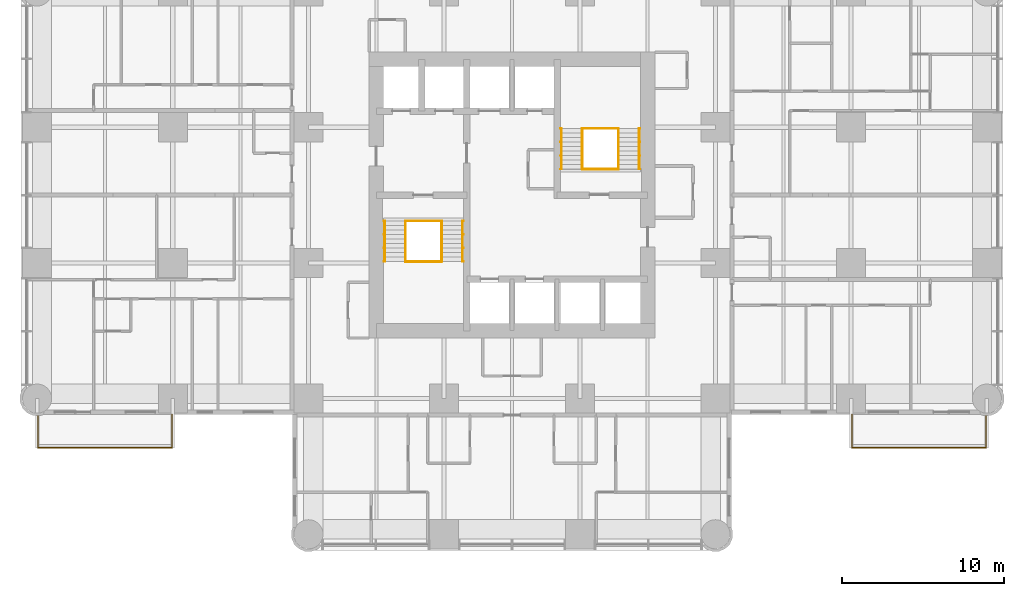
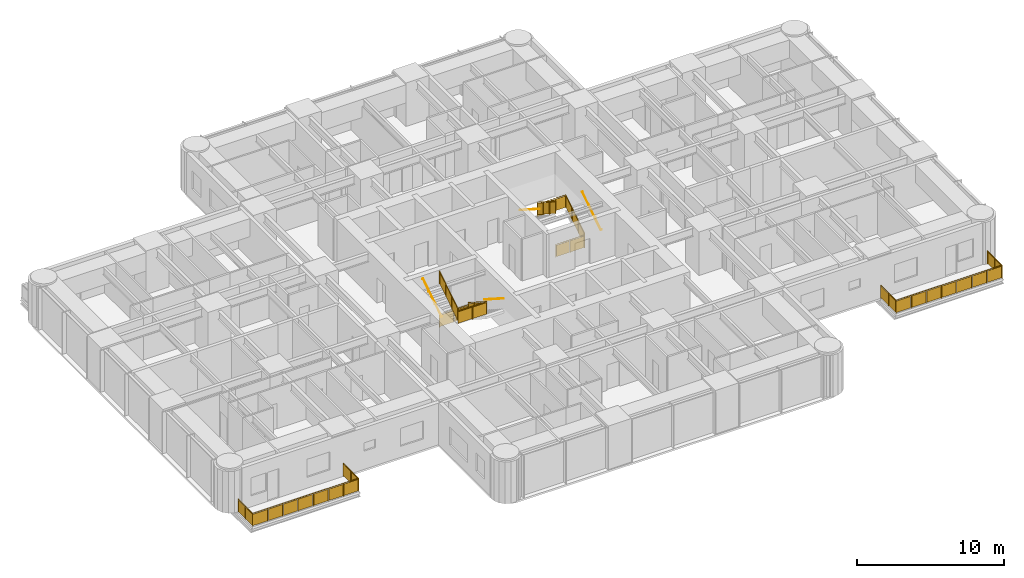
# One storey, part 13 of 14: 14 railings.
"""IFC4 building model written with IfcOpenShell, lengths in metres."""

from ifc_helpers import new_model, si_unit, direction, frame, origin, origin_2d, place, context, subcontext, project, spatial, polyline, circle, outline, extrude, material, constituent, constituent_set, type_object, element, save


model = new_model("IFC4")

# Units and contexts
model_context = context("Model", 3, precision=1e-05, world=origin(), true_north=direction((0.0, 1.0)))
body_context = subcontext(model_context, "Body", "Model", "MODEL_VIEW")
ifc_project = project(units=[si_unit("LENGTHUNIT", "METRE"), si_unit("AREAUNIT", "SQUARE_METRE"), si_unit("VOLUMEUNIT", "CUBIC_METRE"), si_unit("PLANEANGLEUNIT", "RADIAN"), si_unit("MASSUNIT", "GRAM", prefix="KILO")], contexts=[model_context])

# Site, building, storey
site_placement = place(None, origin())
site = spatial("IfcSite", under=ifc_project, at=site_placement, CompositionType="ELEMENT")
building_placement = place(site_placement, origin())
building = spatial("IfcBuilding", under=site, at=building_placement, Name="Torre Alcanfor", CompositionType="ELEMENT")
storey_placement = place(building_placement, frame((0.0, 0.0, 170.10009765625)))
storey = spatial("IfcBuildingStorey", under=building, at=storey_placement, Name="L44", CompositionType="ELEMENT", Elevation=170.10009765625)

# Railings
ifc_material_1 = material(Name="Laminated safety glass", Category="glass")
ifc_constituent_1 = constituent(ifc_material_1, Name="Infill")
ifc_material_2 = material(Name="Stainless steel ASTM A554 Grade MT 316L tube", Category="steel")
ifc_constituent_2 = constituent(ifc_material_2, Name="Posts and rail")
ifc_constituent_set = constituent_set(constituents=[ifc_constituent_1, ifc_constituent_2], Name="Balcony guard glass 1100")
railing_type_1 = type_object("IfcRailingType", Name="Balcony guard glass 1100", PredefinedType="BALUSTRADE", material=ifc_constituent_set)
railing_1_placement = place(storey_placement, frame((50.449951171875, 15.800048828125, 0.0)))
element("IfcRailing", 1, at=railing_1_placement, inside=storey, type_object=railing_type_1, Name="Balcony guard L44-E2", PredefinedType="BALUSTRADE", context=body_context, shape_type="SweptSolid", body=[
    extrude(circle(Radius=0.02392578125, at=origin_2d()), frame((0.0, 0.0, 1.076171875), z_axis=(0.0, -1.0, 0.0), x_axis=(1.0, 0.0, 0.0)), (0.0, 0.0, 1.0), 2.050048828125),
    extrude(circle(Radius=0.02392578125, at=origin_2d()), frame((0.0, -2.050048828125, 1.076171875), z_axis=(1.0, 0.0, 0.0), x_axis=(0.0, 1.0, 0.0)), (0.0, 0.0, 1.0), 8.300048828125),
    extrude(circle(Radius=0.02392578125, at=origin_2d()), frame((8.300048828125, -2.050048828125, 1.076171875), z_axis=(0.0, 1.0, 0.0), x_axis=(-1.0, 0.0, 0.0)), (0.0, 0.0, 1.0), 1.968994140625),
    extrude(circle(Radius=0.02099609375, at=origin_2d()), origin(), (0.0, 0.0, 1.0), 1.052001953125),
    extrude(circle(Radius=0.02099609375, at=origin_2d()), frame((0.0, -1.02490234375, 0.0)), (0.0, 0.0, 1.0), 1.052001953125),
    extrude(circle(Radius=0.02099609375, at=origin_2d()), frame((0.0, -2.050048828125, 0.0)), (0.0, 0.0, 1.0), 1.052001953125),
    extrude(circle(Radius=0.02099609375, at=origin_2d()), frame((1.185791015625, -2.050048828125, 0.0)), (0.0, 0.0, 1.0), 1.052001953125),
    extrude(circle(Radius=0.02099609375, at=origin_2d()), frame((2.371337890625, -2.050048828125, 0.0)), (0.0, 0.0, 1.0), 1.052001953125),
    extrude(circle(Radius=0.02099609375, at=origin_2d()), frame((3.55712890625, -2.050048828125, 0.0)), (0.0, 0.0, 1.0), 1.052001953125),
    extrude(circle(Radius=0.02099609375, at=origin_2d()), frame((4.742919921875, -2.050048828125, 0.0)), (0.0, 0.0, 1.0), 1.052001953125),
    extrude(circle(Radius=0.02099609375, at=origin_2d()), frame((5.9287109375, -2.050048828125, 0.0)), (0.0, 0.0, 1.0), 1.052001953125),
    extrude(circle(Radius=0.02099609375, at=origin_2d()), frame((7.1142578125, -2.050048828125, 0.0)), (0.0, 0.0, 1.0), 1.052001953125),
    extrude(circle(Radius=0.02099609375, at=origin_2d()), frame((8.300048828125, -2.050048828125, 0.0)), (0.0, 0.0, 1.0), 1.052001953125),
    extrude(circle(Radius=0.02099609375, at=origin_2d()), frame((8.300048828125, -1.0654296875, 0.0)), (0.0, 0.0, 1.0), 1.052001953125),
    extrude(circle(Radius=0.02099609375, at=origin_2d()), frame((8.300048828125, -0.0810546875, 0.0)), (0.0, 0.0, 1.0), 1.052001953125),
    extrude(outline(polyline([(0.041015625, 0.050048828125), (0.984130859375, 0.050048828125), (0.984130859375, 1.001953125), (0.041015625, 1.001953125), (0.041015625, 0.050048828125)])), frame((0.005859375, 0.0, 0.0), z_axis=(-1.0, 0.0, 0.0), x_axis=(0.0, -1.0, 0.0)), (0.0, 0.0, 1.0), 0.011962890625),
    extrude(outline(polyline([(1.06591796875, 0.050048828125), (2.009033203125, 0.050048828125), (2.009033203125, 1.001953125), (1.06591796875, 1.001953125), (1.06591796875, 0.050048828125)])), frame((0.005859375, 0.0, 0.0), z_axis=(-1.0, 0.0, 0.0), x_axis=(0.0, -1.0, 0.0)), (0.0, 0.0, 1.0), 0.011962890625),
    extrude(outline(polyline([(0.041015625, 0.050048828125), (1.144775390625, 0.050048828125), (1.144775390625, 1.001953125), (0.041015625, 1.001953125), (0.041015625, 0.050048828125)])), frame((0.0, -2.0439453125, 0.0), z_axis=(0.0, -1.0, 0.0), x_axis=(1.0, 0.0, 0.0)), (0.0, 0.0, 1.0), 0.011962890625),
    extrude(outline(polyline([(1.226806640625, 0.050048828125), (2.330322265625, 0.050048828125), (2.330322265625, 1.001953125), (1.226806640625, 1.001953125), (1.226806640625, 0.050048828125)])), frame((0.0, -2.0439453125, 0.0), z_axis=(0.0, -1.0, 0.0), x_axis=(1.0, 0.0, 0.0)), (0.0, 0.0, 1.0), 0.011962890625),
    extrude(outline(polyline([(2.412353515625, 0.050048828125), (3.51611328125, 0.050048828125), (3.51611328125, 1.001953125), (2.412353515625, 1.001953125), (2.412353515625, 0.050048828125)])), frame((0.0, -2.0439453125, 0.0), z_axis=(0.0, -1.0, 0.0), x_axis=(1.0, 0.0, 0.0)), (0.0, 0.0, 1.0), 0.011962890625),
    extrude(outline(polyline([(3.59814453125, 0.050048828125), (4.701904296875, 0.050048828125), (4.701904296875, 1.001953125), (3.59814453125, 1.001953125), (3.59814453125, 0.050048828125)])), frame((0.0, -2.0439453125, 0.0), z_axis=(0.0, -1.0, 0.0), x_axis=(1.0, 0.0, 0.0)), (0.0, 0.0, 1.0), 0.011962890625),
    extrude(outline(polyline([(4.783935546875, 0.050048828125), (5.8876953125, 0.050048828125), (5.8876953125, 1.001953125), (4.783935546875, 1.001953125), (4.783935546875, 0.050048828125)])), frame((0.0, -2.0439453125, 0.0), z_axis=(0.0, -1.0, 0.0), x_axis=(1.0, 0.0, 0.0)), (0.0, 0.0, 1.0), 0.011962890625),
    extrude(outline(polyline([(5.9697265625, 0.050048828125), (7.0732421875, 0.050048828125), (7.0732421875, 1.001953125), (5.9697265625, 1.001953125), (5.9697265625, 0.050048828125)])), frame((0.0, -2.0439453125, 0.0), z_axis=(0.0, -1.0, 0.0), x_axis=(1.0, 0.0, 0.0)), (0.0, 0.0, 1.0), 0.011962890625),
    extrude(outline(polyline([(7.1552734375, 0.050048828125), (8.259033203125, 0.050048828125), (8.259033203125, 1.001953125), (7.1552734375, 1.001953125), (7.1552734375, 0.050048828125)])), frame((0.0, -2.0439453125, 0.0), z_axis=(0.0, -1.0, 0.0), x_axis=(1.0, 0.0, 0.0)), (0.0, 0.0, 1.0), 0.011962890625),
    extrude(outline(polyline([(0.041015625, 0.050048828125), (0.943603515625, 0.050048828125), (0.943603515625, 1.001953125), (0.041015625, 1.001953125), (0.041015625, 0.050048828125)])), frame((8.2939453125, -2.050048828125, 0.0), z_axis=(1.0, 0.0, 0.0), x_axis=(0.0, 1.0, 0.0)), (0.0, 0.0, 1.0), 0.011962890625),
    extrude(outline(polyline([(1.025390625, 0.050048828125), (1.927978515625, 0.050048828125), (1.927978515625, 1.001953125), (1.025390625, 1.001953125), (1.025390625, 0.050048828125)])), frame((8.2939453125, -2.050048828125, 0.0), z_axis=(1.0, 0.0, 0.0), x_axis=(0.0, 1.0, 0.0)), (0.0, 0.0, 1.0), 0.011962890625),
])
railing_2_placement = place(storey_placement, frame((8.35009765625, 15.800048828125, 0.0)))
element("IfcRailing", 2, at=railing_2_placement, inside=storey, type_object=railing_type_1, Name="Balcony guard L44-W1", PredefinedType="BALUSTRADE", context=body_context, shape_type="SweptSolid", body=[
    extrude(circle(Radius=0.02392578125, at=origin_2d()), frame((0.0, 0.0, 1.076171875), z_axis=(0.0, -1.0, 0.0), x_axis=(1.0, 0.0, 0.0)), (0.0, 0.0, 1.0), 2.050048828125),
    extrude(circle(Radius=0.02392578125, at=origin_2d()), frame((0.0, -2.050048828125, 1.076171875), z_axis=(-1.0, 0.0, 0.0), x_axis=(0.0, -1.0, 0.0)), (0.0, 0.0, 1.0), 8.300048828125),
    extrude(circle(Radius=0.02392578125, at=origin_2d()), frame((-8.300048828125, -2.050048828125, 1.076171875), z_axis=(0.0, 1.0, 0.0), x_axis=(-1.0, 0.0, 0.0)), (0.0, 0.0, 1.0), 1.968994140625),
    extrude(circle(Radius=0.02099609375, at=origin_2d()), origin(), (0.0, 0.0, 1.0), 1.052001953125),
    extrude(circle(Radius=0.02099609375, at=origin_2d()), frame((0.0, -1.02490234375, 0.0)), (0.0, 0.0, 1.0), 1.052001953125),
    extrude(circle(Radius=0.02099609375, at=origin_2d()), frame((0.0, -2.050048828125, 0.0)), (0.0, 0.0, 1.0), 1.052001953125),
    extrude(circle(Radius=0.02099609375, at=origin_2d()), frame((-1.185791015625, -2.050048828125, 0.0)), (0.0, 0.0, 1.0), 1.052001953125),
    extrude(circle(Radius=0.02099609375, at=origin_2d()), frame((-2.371337890625, -2.050048828125, 0.0)), (0.0, 0.0, 1.0), 1.052001953125),
    extrude(circle(Radius=0.02099609375, at=origin_2d()), frame((-3.55712890625, -2.050048828125, 0.0)), (0.0, 0.0, 1.0), 1.052001953125),
    extrude(circle(Radius=0.02099609375, at=origin_2d()), frame((-4.742919921875, -2.050048828125, 0.0)), (0.0, 0.0, 1.0), 1.052001953125),
    extrude(circle(Radius=0.02099609375, at=origin_2d()), frame((-5.9287109375, -2.050048828125, 0.0)), (0.0, 0.0, 1.0), 1.052001953125),
    extrude(circle(Radius=0.02099609375, at=origin_2d()), frame((-7.1142578125, -2.050048828125, 0.0)), (0.0, 0.0, 1.0), 1.052001953125),
    extrude(circle(Radius=0.02099609375, at=origin_2d()), frame((-8.300048828125, -2.050048828125, 0.0)), (0.0, 0.0, 1.0), 1.052001953125),
    extrude(circle(Radius=0.02099609375, at=origin_2d()), frame((-8.300048828125, -1.0654296875, 0.0)), (0.0, 0.0, 1.0), 1.052001953125),
    extrude(circle(Radius=0.02099609375, at=origin_2d()), frame((-8.300048828125, -0.0810546875, 0.0)), (0.0, 0.0, 1.0), 1.052001953125),
    extrude(outline(polyline([(0.041015625, 0.050048828125), (0.984130859375, 0.050048828125), (0.984130859375, 1.001953125), (0.041015625, 1.001953125), (0.041015625, 0.050048828125)])), frame((0.005859375, 0.0, 0.0), z_axis=(-1.0, 0.0, 0.0), x_axis=(0.0, -1.0, 0.0)), (0.0, 0.0, 1.0), 0.011962890625),
    extrude(outline(polyline([(1.06591796875, 0.050048828125), (2.009033203125, 0.050048828125), (2.009033203125, 1.001953125), (1.06591796875, 1.001953125), (1.06591796875, 0.050048828125)])), frame((0.005859375, 0.0, 0.0), z_axis=(-1.0, 0.0, 0.0), x_axis=(0.0, -1.0, 0.0)), (0.0, 0.0, 1.0), 0.011962890625),
    extrude(outline(polyline([(0.041015625, 0.050048828125), (1.144775390625, 0.050048828125), (1.144775390625, 1.001953125), (0.041015625, 1.001953125), (0.041015625, 0.050048828125)])), frame((0.0, -2.05615234375, 0.0), z_axis=(0.0, 1.0, 0.0), x_axis=(-1.0, 0.0, 0.0)), (0.0, 0.0, 1.0), 0.011962890625),
    extrude(outline(polyline([(1.226806640625, 0.050048828125), (2.330322265625, 0.050048828125), (2.330322265625, 1.001953125), (1.226806640625, 1.001953125), (1.226806640625, 0.050048828125)])), frame((0.0, -2.05615234375, 0.0), z_axis=(0.0, 1.0, 0.0), x_axis=(-1.0, 0.0, 0.0)), (0.0, 0.0, 1.0), 0.011962890625),
    extrude(outline(polyline([(2.412353515625, 0.050048828125), (3.51611328125, 0.050048828125), (3.51611328125, 1.001953125), (2.412353515625, 1.001953125), (2.412353515625, 0.050048828125)])), frame((0.0, -2.05615234375, 0.0), z_axis=(0.0, 1.0, 0.0), x_axis=(-1.0, 0.0, 0.0)), (0.0, 0.0, 1.0), 0.011962890625),
    extrude(outline(polyline([(3.59814453125, 0.050048828125), (4.701904296875, 0.050048828125), (4.701904296875, 1.001953125), (3.59814453125, 1.001953125), (3.59814453125, 0.050048828125)])), frame((0.0, -2.05615234375, 0.0), z_axis=(0.0, 1.0, 0.0), x_axis=(-1.0, 0.0, 0.0)), (0.0, 0.0, 1.0), 0.011962890625),
    extrude(outline(polyline([(4.783935546875, 0.050048828125), (5.8876953125, 0.050048828125), (5.8876953125, 1.001953125), (4.783935546875, 1.001953125), (4.783935546875, 0.050048828125)])), frame((0.0, -2.05615234375, 0.0), z_axis=(0.0, 1.0, 0.0), x_axis=(-1.0, 0.0, 0.0)), (0.0, 0.0, 1.0), 0.011962890625),
    extrude(outline(polyline([(5.9697265625, 0.050048828125), (7.0732421875, 0.050048828125), (7.0732421875, 1.001953125), (5.9697265625, 1.001953125), (5.9697265625, 0.050048828125)])), frame((0.0, -2.05615234375, 0.0), z_axis=(0.0, 1.0, 0.0), x_axis=(-1.0, 0.0, 0.0)), (0.0, 0.0, 1.0), 0.011962890625),
    extrude(outline(polyline([(7.1552734375, 0.050048828125), (8.259033203125, 0.050048828125), (8.259033203125, 1.001953125), (7.1552734375, 1.001953125), (7.1552734375, 0.050048828125)])), frame((0.0, -2.05615234375, 0.0), z_axis=(0.0, 1.0, 0.0), x_axis=(-1.0, 0.0, 0.0)), (0.0, 0.0, 1.0), 0.011962890625),
    extrude(outline(polyline([(0.041015625, 0.050048828125), (0.943603515625, 0.050048828125), (0.943603515625, 1.001953125), (0.041015625, 1.001953125), (0.041015625, 0.050048828125)])), frame((-8.30615234375, -2.050048828125, 0.0), z_axis=(1.0, 0.0, 0.0), x_axis=(0.0, 1.0, 0.0)), (0.0, 0.0, 1.0), 0.011962890625),
    extrude(outline(polyline([(1.025390625, 0.050048828125), (1.927978515625, 0.050048828125), (1.927978515625, 1.001953125), (1.025390625, 1.001953125), (1.025390625, 0.050048828125)])), frame((-8.30615234375, -2.050048828125, 0.0), z_axis=(1.0, 0.0, 0.0), x_axis=(0.0, 1.0, 0.0)), (0.0, 0.0, 1.0), 0.011962890625),
])
ifc_material_3 = material(Name="Steel ASTM A500 Grade C hollow sections", Category="steel")
railing_type_2 = type_object("IfcRailingType", Name="Stair guard and handrail 1100", PredefinedType="GUARDRAIL", material=ifc_material_3)
railing_3_placement = place(storey_placement, frame((25.050048828125, 27.800048828125, 0.179931640625)))
element("IfcRailing", 3, at=railing_3_placement, inside=storey, type_object=railing_type_2, Name="Stair guard S1 L44 flight 1", PredefinedType="GUARDRAIL", context=body_context, shape_type="SweptSolid", body=[
    extrude(circle(Radius=0.02392578125, at=origin_2d()), frame((0.0, 0.0, 1.076171875), z_axis=(0.0, -0.841199657755, 0.540724639528), x_axis=(1.0, 0.0, 0.0)), (0.0, 0.0, 1.0), 2.995849609375),
    extrude(circle(Radius=0.02099609375, at=origin_2d()), origin(), (0.0, 0.0, 1.0), 1.052001953125),
    extrude(circle(Radius=0.02099609375, at=origin_2d()), frame((0.0, -0.840087890625, 0.5400390625)), (0.0, 0.0, 1.0), 1.052001953125),
    extrude(circle(Radius=0.02099609375, at=origin_2d()), frame((0.0, -1.679931640625, 1.079833984375)), (0.0, 0.0, 1.0), 1.052001953125),
    extrude(circle(Radius=0.02099609375, at=origin_2d()), frame((0.0, -2.52001953125, 1.619873046875)), (0.0, 0.0, 1.0), 1.052001953125),
    extrude(outline(polyline([(0.041015625, 0.076416015625), (0.799072265625, 0.563720703125), (0.799072265625, 1.515625), (0.041015625, 1.0283203125), (0.041015625, 0.076416015625)])), frame((0.005859375, 0.0, 0.0), z_axis=(-1.0, 0.0, 0.0), x_axis=(0.0, -1.0, 0.0)), (0.0, 0.0, 1.0), 0.011962890625),
    extrude(outline(polyline([(0.881103515625, 0.6162109375), (1.638916015625, 1.103515625), (1.638916015625, 2.0556640625), (0.881103515625, 1.568359375), (0.881103515625, 0.6162109375)])), frame((0.005859375, 0.0, 0.0), z_axis=(-1.0, 0.0, 0.0), x_axis=(0.0, -1.0, 0.0)), (0.0, 0.0, 1.0), 0.011962890625),
    extrude(outline(polyline([(1.720947265625, 1.15625), (2.47900390625, 1.6435546875), (2.47900390625, 2.595458984375), (1.720947265625, 2.108154296875), (1.720947265625, 1.15625)])), frame((0.005859375, 0.0, 0.0), z_axis=(-1.0, 0.0, 0.0), x_axis=(0.0, -1.0, 0.0)), (0.0, 0.0, 1.0), 0.011962890625),
])
railing_4_placement = place(storey_placement, frame((22.800048828125, 25.280029296875, 1.97998046875)))
element("IfcRailing", 4, at=railing_4_placement, inside=storey, type_object=railing_type_2, Name="Stair guard S1 L44 flight 2", PredefinedType="GUARDRAIL", context=body_context, shape_type="SweptSolid", body=[
    extrude(circle(Radius=0.02392578125, at=origin_2d()), frame((0.0, 0.0, 1.076171875), z_axis=(0.0, 0.841199657755, 0.540724639528), x_axis=(-1.0, 0.0, 0.0)), (0.0, 0.0, 1.0), 2.995849609375),
    extrude(circle(Radius=0.02099609375, at=origin_2d()), origin(), (0.0, 0.0, 1.0), 1.052001953125),
    extrude(circle(Radius=0.02099609375, at=origin_2d()), frame((0.0, 0.840087890625, 0.5400390625)), (0.0, 0.0, 1.0), 1.052001953125),
    extrude(circle(Radius=0.02099609375, at=origin_2d()), frame((0.0, 1.679931640625, 1.079833984375)), (0.0, 0.0, 1.0), 1.052001953125),
    extrude(circle(Radius=0.02099609375, at=origin_2d()), frame((0.0, 2.52001953125, 1.619873046875)), (0.0, 0.0, 1.0), 1.052001953125),
    extrude(outline(polyline([(0.041015625, 0.076416015625), (0.799072265625, 0.563720703125), (0.799072265625, 1.515625), (0.041015625, 1.0283203125), (0.041015625, 0.076416015625)])), frame((-0.005859375, 0.0, 0.0), z_axis=(1.0, 0.0, 0.0), x_axis=(0.0, 1.0, 0.0)), (0.0, 0.0, 1.0), 0.011962890625),
    extrude(outline(polyline([(0.881103515625, 0.6162109375), (1.638916015625, 1.103515625), (1.638916015625, 2.0556640625), (0.881103515625, 1.568359375), (0.881103515625, 0.6162109375)])), frame((-0.005859375, 0.0, 0.0), z_axis=(1.0, 0.0, 0.0), x_axis=(0.0, 1.0, 0.0)), (0.0, 0.0, 1.0), 0.011962890625),
    extrude(outline(polyline([(1.720947265625, 1.15625), (2.47900390625, 1.6435546875), (2.47900390625, 2.595458984375), (1.720947265625, 2.108154296875), (1.720947265625, 1.15625)])), frame((-0.005859375, 0.0, 0.0), z_axis=(1.0, 0.0, 0.0), x_axis=(0.0, 1.0, 0.0)), (0.0, 0.0, 1.0), 0.011962890625),
])
for number, where, name in (
    (5, (22.800048828125, 27.800048828125, 0.0), "Stair well guard S1 L44 floor landing"),
    (6, (22.800048828125, 25.280029296875, 1.7998046875), "Stair well guard S1 L44 half landing"),
):
    element("IfcRailing", number, at=place(storey_placement, frame(where)), inside=storey, type_object=railing_type_2, Name=name, PredefinedType="GUARDRAIL", context=body_context, shape_type="SweptSolid", body=[
        extrude(circle(Radius=0.02392578125, at=origin_2d()), frame((0.0, 0.0, 1.076171875), z_axis=(1.0, 0.0, 0.0), x_axis=(0.0, 1.0, 0.0)), (0.0, 0.0, 1.0), 2.25),
        extrude(circle(Radius=0.02099609375, at=origin_2d()), origin(), (0.0, 0.0, 1.0), 1.052001953125),
        extrude(circle(Radius=0.02099609375, at=origin_2d()), frame((1.125, 0.0, 0.0)), (0.0, 0.0, 1.0), 1.052001953125),
        extrude(circle(Radius=0.02099609375, at=origin_2d()), frame((2.25, 0.0, 0.0)), (0.0, 0.0, 1.0), 1.052001953125),
        extrude(outline(polyline([(0.041015625, 0.050048828125), (1.083984375, 0.050048828125), (1.083984375, 1.001953125), (0.041015625, 1.001953125), (0.041015625, 0.050048828125)])), frame((0.0, 0.005859375, 0.0), z_axis=(0.0, -1.0, 0.0), x_axis=(1.0, 0.0, 0.0)), (0.0, 0.0, 1.0), 0.011962890625),
        extrude(outline(polyline([(1.166015625, 0.050048828125), (2.208984375, 0.050048828125), (2.208984375, 1.001953125), (1.166015625, 1.001953125), (1.166015625, 0.050048828125)])), frame((0.0, 0.005859375, 0.0), z_axis=(0.0, -1.0, 0.0), x_axis=(1.0, 0.0, 0.0)), (0.0, 0.0, 1.0), 0.011962890625),
    ])
railing_5_placement = place(storey_placement, frame((36.0, 31.0, 0.179931640625)))
element("IfcRailing", 7, at=railing_5_placement, inside=storey, type_object=railing_type_2, Name="Stair guard S2 L44 flight 1", PredefinedType="GUARDRAIL", context=body_context, shape_type="SweptSolid", body=[
    extrude(circle(Radius=0.02392578125, at=origin_2d()), frame((0.0, 0.0, 1.076171875), z_axis=(0.0, 0.841199657755, 0.540724639528), x_axis=(-1.0, 0.0, 0.0)), (0.0, 0.0, 1.0), 2.995849609375),
    extrude(circle(Radius=0.02099609375, at=origin_2d()), origin(), (0.0, 0.0, 1.0), 1.052001953125),
    extrude(circle(Radius=0.02099609375, at=origin_2d()), frame((0.0, 0.840087890625, 0.5400390625)), (0.0, 0.0, 1.0), 1.052001953125),
    extrude(circle(Radius=0.02099609375, at=origin_2d()), frame((0.0, 1.679931640625, 1.079833984375)), (0.0, 0.0, 1.0), 1.052001953125),
    extrude(circle(Radius=0.02099609375, at=origin_2d()), frame((0.0, 2.52001953125, 1.619873046875)), (0.0, 0.0, 1.0), 1.052001953125),
    extrude(outline(polyline([(0.041015625, 0.076416015625), (0.799072265625, 0.563720703125), (0.799072265625, 1.515625), (0.041015625, 1.0283203125), (0.041015625, 0.076416015625)])), frame((-0.005859375, 0.0, 0.0), z_axis=(1.0, 0.0, 0.0), x_axis=(0.0, 1.0, 0.0)), (0.0, 0.0, 1.0), 0.011962890625),
    extrude(outline(polyline([(0.881103515625, 0.6162109375), (1.638916015625, 1.103515625), (1.638916015625, 2.0556640625), (0.881103515625, 1.568359375), (0.881103515625, 0.6162109375)])), frame((-0.005859375, 0.0, 0.0), z_axis=(1.0, 0.0, 0.0), x_axis=(0.0, 1.0, 0.0)), (0.0, 0.0, 1.0), 0.011962890625),
    extrude(outline(polyline([(1.720947265625, 1.15625), (2.47900390625, 1.6435546875), (2.47900390625, 2.595458984375), (1.720947265625, 2.108154296875), (1.720947265625, 1.15625)])), frame((-0.005859375, 0.0, 0.0), z_axis=(1.0, 0.0, 0.0), x_axis=(0.0, 1.0, 0.0)), (0.0, 0.0, 1.0), 0.011962890625),
])
railing_6_placement = place(storey_placement, frame((33.75, 33.52001953125, 1.97998046875)))
element("IfcRailing", 8, at=railing_6_placement, inside=storey, type_object=railing_type_2, Name="Stair guard S2 L44 flight 2", PredefinedType="GUARDRAIL", context=body_context, shape_type="SweptSolid", body=[
    extrude(circle(Radius=0.02392578125, at=origin_2d()), frame((0.0, 0.0, 1.076171875), z_axis=(0.0, -0.841199657755, 0.540724639528), x_axis=(1.0, 0.0, 0.0)), (0.0, 0.0, 1.0), 2.995849609375),
    extrude(circle(Radius=0.02099609375, at=origin_2d()), origin(), (0.0, 0.0, 1.0), 1.052001953125),
    extrude(circle(Radius=0.02099609375, at=origin_2d()), frame((0.0, -0.840087890625, 0.5400390625)), (0.0, 0.0, 1.0), 1.052001953125),
    extrude(circle(Radius=0.02099609375, at=origin_2d()), frame((0.0, -1.679931640625, 1.079833984375)), (0.0, 0.0, 1.0), 1.052001953125),
    extrude(circle(Radius=0.02099609375, at=origin_2d()), frame((0.0, -2.52001953125, 1.619873046875)), (0.0, 0.0, 1.0), 1.052001953125),
    extrude(outline(polyline([(0.041015625, 0.076416015625), (0.799072265625, 0.563720703125), (0.799072265625, 1.515625), (0.041015625, 1.0283203125), (0.041015625, 0.076416015625)])), frame((0.005859375, 0.0, 0.0), z_axis=(-1.0, 0.0, 0.0), x_axis=(0.0, -1.0, 0.0)), (0.0, 0.0, 1.0), 0.011962890625),
    extrude(outline(polyline([(0.881103515625, 0.6162109375), (1.638916015625, 1.103515625), (1.638916015625, 2.0556640625), (0.881103515625, 1.568359375), (0.881103515625, 0.6162109375)])), frame((0.005859375, 0.0, 0.0), z_axis=(-1.0, 0.0, 0.0), x_axis=(0.0, -1.0, 0.0)), (0.0, 0.0, 1.0), 0.011962890625),
    extrude(outline(polyline([(1.720947265625, 1.15625), (2.47900390625, 1.6435546875), (2.47900390625, 2.595458984375), (1.720947265625, 2.108154296875), (1.720947265625, 1.15625)])), frame((0.005859375, 0.0, 0.0), z_axis=(-1.0, 0.0, 0.0), x_axis=(0.0, -1.0, 0.0)), (0.0, 0.0, 1.0), 0.011962890625),
])
for number, where, name in (
    (9, (33.75, 31.0, 0.0), "Stair well guard S2 L44 floor landing"),
    (10, (33.75, 33.52001953125, 1.7998046875), "Stair well guard S2 L44 half landing"),
):
    element("IfcRailing", number, at=place(storey_placement, frame(where)), inside=storey, type_object=railing_type_2, Name=name, PredefinedType="GUARDRAIL", context=body_context, shape_type="SweptSolid", body=[
        extrude(circle(Radius=0.02392578125, at=origin_2d()), frame((0.0, 0.0, 1.076171875), z_axis=(1.0, 0.0, 0.0), x_axis=(0.0, 1.0, 0.0)), (0.0, 0.0, 1.0), 2.25),
        extrude(circle(Radius=0.02099609375, at=origin_2d()), origin(), (0.0, 0.0, 1.0), 1.052001953125),
        extrude(circle(Radius=0.02099609375, at=origin_2d()), frame((1.125, 0.0, 0.0)), (0.0, 0.0, 1.0), 1.052001953125),
        extrude(circle(Radius=0.02099609375, at=origin_2d()), frame((2.25, 0.0, 0.0)), (0.0, 0.0, 1.0), 1.052001953125),
        extrude(outline(polyline([(0.041015625, 0.050048828125), (1.083984375, 0.050048828125), (1.083984375, 1.001953125), (0.041015625, 1.001953125), (0.041015625, 0.050048828125)])), frame((0.0, 0.005859375, 0.0), z_axis=(0.0, -1.0, 0.0), x_axis=(1.0, 0.0, 0.0)), (0.0, 0.0, 1.0), 0.011962890625),
        extrude(outline(polyline([(1.166015625, 0.050048828125), (2.208984375, 0.050048828125), (2.208984375, 1.001953125), (1.166015625, 1.001953125), (1.166015625, 0.050048828125)])), frame((0.0, 0.005859375, 0.0), z_axis=(0.0, -1.0, 0.0), x_axis=(1.0, 0.0, 0.0)), (0.0, 0.0, 1.0), 0.011962890625),
    ])
ifc_material_4 = material(Name="Steel ASTM A500 Grade C hollow sections", Category="steel")
railing_type_3 = type_object("IfcRailingType", Name="Stair wall handrail 900", PredefinedType="HANDRAIL", material=ifc_material_4)
railing_7_placement = place(storey_placement, frame((26.3349609375, 27.800048828125, 0.179931640625)))
element("IfcRailing", 11, at=railing_7_placement, inside=storey, type_object=railing_type_3, Name="Stair handrail S1 L44 flight 1", PredefinedType="HANDRAIL", context=body_context, shape_type="SweptSolid", body=[
    extrude(circle(Radius=0.02392578125, at=origin_2d()), frame((0.0, 0.0, 0.8759765625), z_axis=(0.0, -0.841199657755, 0.540724639528), x_axis=(1.0, 0.0, 0.0)), (0.0, 0.0, 1.0), 2.995849609375),
    extrude(circle(Radius=0.008056640625, at=origin_2d()), frame((0.0, 0.0, 0.8759765625), z_axis=(1.0, 0.0, 0.0), x_axis=(0.0, 0.0, 1.0)), (0.0, 0.0, 1.0), 0.06494140625),
    extrude(circle(Radius=0.008056640625, at=origin_2d()), frame((0.0, -0.840087890625, 1.415771484375), z_axis=(1.0, 0.0, 0.0), x_axis=(0.0, 0.0, 1.0)), (0.0, 0.0, 1.0), 0.06494140625),
    extrude(circle(Radius=0.008056640625, at=origin_2d()), frame((0.0, -1.679931640625, 1.955810546875), z_axis=(1.0, 0.0, 0.0), x_axis=(0.0, 0.0, 1.0)), (0.0, 0.0, 1.0), 0.06494140625),
    extrude(circle(Radius=0.008056640625, at=origin_2d()), frame((0.0, -2.52001953125, 2.49560546875), z_axis=(1.0, 0.0, 0.0), x_axis=(0.0, 0.0, 1.0)), (0.0, 0.0, 1.0), 0.06494140625),
])
railing_8_placement = place(storey_placement, frame((21.514892578125, 25.280029296875, 1.97998046875)))
element("IfcRailing", 12, at=railing_8_placement, inside=storey, type_object=railing_type_3, Name="Stair handrail S1 L44 flight 2", PredefinedType="HANDRAIL", context=body_context, shape_type="SweptSolid", body=[
    extrude(circle(Radius=0.02392578125, at=origin_2d()), frame((0.0, 0.0, 0.8759765625), z_axis=(0.0, 0.841199657755, 0.540724639528), x_axis=(-1.0, 0.0, 0.0)), (0.0, 0.0, 1.0), 2.995849609375),
    extrude(circle(Radius=0.008056640625, at=origin_2d()), frame((0.0, 0.0, 0.8759765625), z_axis=(-1.0, 0.0, 0.0), x_axis=(0.0, 0.0, 1.0)), (0.0, 0.0, 1.0), 0.06494140625),
    extrude(circle(Radius=0.008056640625, at=origin_2d()), frame((0.0, 0.840087890625, 1.415771484375), z_axis=(-1.0, 0.0, 0.0), x_axis=(0.0, 0.0, 1.0)), (0.0, 0.0, 1.0), 0.06494140625),
    extrude(circle(Radius=0.008056640625, at=origin_2d()), frame((0.0, 1.679931640625, 1.955810546875), z_axis=(-1.0, 0.0, 0.0), x_axis=(0.0, 0.0, 1.0)), (0.0, 0.0, 1.0), 0.06494140625),
    extrude(circle(Radius=0.008056640625, at=origin_2d()), frame((0.0, 2.52001953125, 2.49560546875), z_axis=(-1.0, 0.0, 0.0), x_axis=(0.0, 0.0, 1.0)), (0.0, 0.0, 1.0), 0.06494140625),
])
railing_9_placement = place(storey_placement, frame((37.284912109375, 31.0, 0.179931640625)))
element("IfcRailing", 13, at=railing_9_placement, inside=storey, type_object=railing_type_3, Name="Stair handrail S2 L44 flight 1", PredefinedType="HANDRAIL", context=body_context, shape_type="SweptSolid", body=[
    extrude(circle(Radius=0.02392578125, at=origin_2d()), frame((0.0, 0.0, 0.8759765625), z_axis=(0.0, 0.841199657755, 0.540724639528), x_axis=(-1.0, 0.0, 0.0)), (0.0, 0.0, 1.0), 2.995849609375),
    extrude(circle(Radius=0.008056640625, at=origin_2d()), frame((0.0, 0.0, 0.8759765625), z_axis=(1.0, 0.0, 0.0), x_axis=(0.0, 0.0, 1.0)), (0.0, 0.0, 1.0), 0.06494140625),
    extrude(circle(Radius=0.008056640625, at=origin_2d()), frame((0.0, 0.840087890625, 1.415771484375), z_axis=(1.0, 0.0, 0.0), x_axis=(0.0, 0.0, 1.0)), (0.0, 0.0, 1.0), 0.06494140625),
    extrude(circle(Radius=0.008056640625, at=origin_2d()), frame((0.0, 1.679931640625, 1.955810546875), z_axis=(1.0, 0.0, 0.0), x_axis=(0.0, 0.0, 1.0)), (0.0, 0.0, 1.0), 0.06494140625),
    extrude(circle(Radius=0.008056640625, at=origin_2d()), frame((0.0, 2.52001953125, 2.49560546875), z_axis=(1.0, 0.0, 0.0), x_axis=(0.0, 0.0, 1.0)), (0.0, 0.0, 1.0), 0.06494140625),
])
railing_10_placement = place(storey_placement, frame((32.465087890625, 33.52001953125, 1.97998046875)))
element("IfcRailing", 14, at=railing_10_placement, inside=storey, type_object=railing_type_3, Name="Stair handrail S2 L44 flight 2", PredefinedType="HANDRAIL", context=body_context, shape_type="SweptSolid", body=[
    extrude(circle(Radius=0.02392578125, at=origin_2d()), frame((0.0, 0.0, 0.8759765625), z_axis=(0.0, -0.841199657755, 0.540724639528), x_axis=(1.0, 0.0, 0.0)), (0.0, 0.0, 1.0), 2.995849609375),
    extrude(circle(Radius=0.008056640625, at=origin_2d()), frame((0.0, 0.0, 0.8759765625), z_axis=(-1.0, 0.0, 0.0), x_axis=(0.0, 0.0, 1.0)), (0.0, 0.0, 1.0), 0.06494140625),
    extrude(circle(Radius=0.008056640625, at=origin_2d()), frame((0.0, -0.840087890625, 1.415771484375), z_axis=(-1.0, 0.0, 0.0), x_axis=(0.0, 0.0, 1.0)), (0.0, 0.0, 1.0), 0.06494140625),
    extrude(circle(Radius=0.008056640625, at=origin_2d()), frame((0.0, -1.679931640625, 1.955810546875), z_axis=(-1.0, 0.0, 0.0), x_axis=(0.0, 0.0, 1.0)), (0.0, 0.0, 1.0), 0.06494140625),
    extrude(circle(Radius=0.008056640625, at=origin_2d()), frame((0.0, -2.52001953125, 2.49560546875), z_axis=(-1.0, 0.0, 0.0), x_axis=(0.0, 0.0, 1.0)), (0.0, 0.0, 1.0), 0.06494140625),
])

save(model, "model.ifc")
